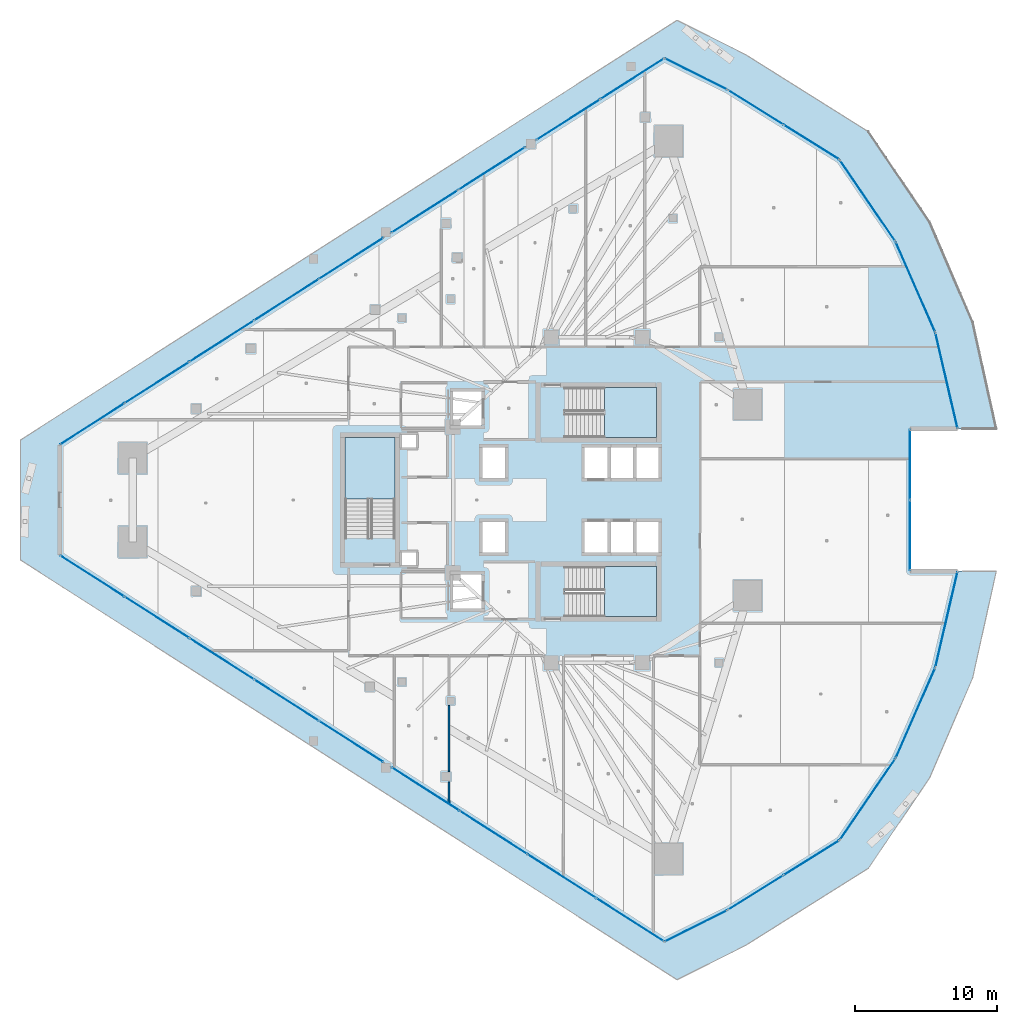
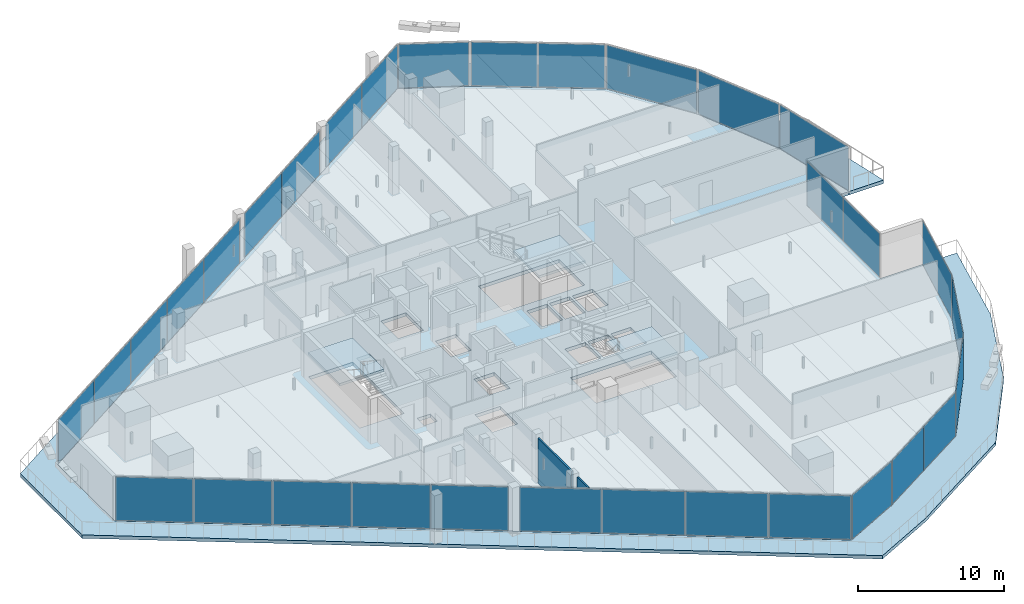
# One storey, part 29 of 45: 32 plates, 5 slabs, 2 walls, 19 elements without a shape of their own.
"""IFC4 building model written with IfcOpenShell, lengths in metres."""

from ifc_helpers import new_model, si_unit, direction, frame, frame_2d, origin, origin_2d, place, context, subcontext, project, spatial, polyline, rectangle, outline, extrude, material, layer, layer_set, type_object, element, aggregate, save


model = new_model("IFC4")

# Units and contexts
model_context = context("Model", 3, precision=1e-05, world=origin(), true_north=direction((0.0, 1.0)))
body_context = subcontext(model_context, "Body", "Model", "MODEL_VIEW")
ifc_project = project(units=[si_unit("LENGTHUNIT", "METRE"), si_unit("AREAUNIT", "SQUARE_METRE"), si_unit("VOLUMEUNIT", "CUBIC_METRE"), si_unit("PLANEANGLEUNIT", "RADIAN"), si_unit("MASSUNIT", "GRAM", prefix="KILO")], contexts=[model_context])

# Site, building, storey
site_placement = place(None, origin())
site = spatial("IfcSite", under=ifc_project, at=site_placement, CompositionType="ELEMENT")
building_placement = place(site_placement, origin())
building = spatial("IfcBuilding", under=site, at=building_placement, Name="Qorvath Tower", CompositionType="ELEMENT")
storey_placement = place(building_placement, frame((0.0, 0.0, 109.800048828125)))
storey = spatial("IfcBuildingStorey", under=building, at=storey_placement, Name="L24", CompositionType="ELEMENT", Elevation=109.800048828125)

# Curtain wall, plates
ifc_material_1 = material(Name="Anodised aluminium and triple low-E glass", Category="aluminium")
ifc_layer_1 = layer(ifc_material_1, 0.179931640625)
ifc_layer_set_1 = layer_set([ifc_layer_1], Name="CW-SYS-2")
curtain_wall_type = type_object("IfcCurtainWallType", Name="CW-SYS-2", PredefinedType="NOTDEFINED", material=ifc_layer_set_1)
curtain_wall_1_placement = place(storey_placement, origin())
curtain_wall_1 = element("IfcCurtainWall", 1, at=curtain_wall_1_placement, inside=storey, type_object=curtain_wall_type, Name="Curtain Wall CW-2 CW-T-L24-2.1", PredefinedType="NOTDEFINED")
ifc_material_2 = material(Name="Low-E triple insulated glass", Category="glass")
ifc_layer_2 = layer(ifc_material_2, 0.031982421875)
ifc_layer_set_2 = layer_set([ifc_layer_2], Name="CWP-GLZ-32")
plate_type = type_object("IfcPlateType", Name="CWP-GLZ-32", PredefinedType="CURTAIN_PANEL", material=ifc_layer_set_2)
plate_1_placement = place(storey_placement, frame((-55.896484375, -5.35107421875, 0.06494140625), z_axis=(0.0, 0.0, 1.0), x_axis=(0.84260637131, -0.538529946269, 0.0)))
plate_1 = element("IfcPlate", 2, at=plate_1_placement, type_object=plate_type, Name="CW-2 panel 1.1", PredefinedType="CURTAIN_PANEL", context=body_context, shape_type="SweptSolid", body=[
    extrude(rectangle(XDim=5.315185546875, YDim=0.031982421875, at=origin_2d()), origin(), (0.0, 0.0, 1.0), 3.64013671875),
])
plate_2_placement = place(storey_placement, frame((-51.349365234375, -8.25732421875, 0.06494140625), z_axis=(0.0, 0.0, 1.0), x_axis=(0.84260637131, -0.538529946269, 0.0)))
plate_2 = element("IfcPlate", 3, at=plate_2_placement, type_object=plate_type, Name="CW-2 panel 2.1", PredefinedType="CURTAIN_PANEL", context=body_context, shape_type="SweptSolid", body=[
    extrude(rectangle(XDim=5.34765625, YDim=0.031982421875, at=origin_2d()), origin(), (0.0, 0.0, 1.0), 3.64013671875),
])
plate_3_placement = place(storey_placement, frame((-46.788818359375, -11.172119140625, 0.06494140625), z_axis=(0.0, 0.0, 1.0), x_axis=(0.84260637131, -0.538529946269, 0.0)))
plate_3 = element("IfcPlate", 4, at=plate_3_placement, type_object=plate_type, Name="CW-2 panel 3.1", PredefinedType="CURTAIN_PANEL", context=body_context, shape_type="SweptSolid", body=[
    extrude(rectangle(XDim=5.34765625, YDim=0.031982421875, at=origin_2d()), origin(), (0.0, 0.0, 1.0), 3.64013671875),
])
plate_4_placement = place(storey_placement, frame((-42.22802734375, -14.0869140625, 0.06494140625), z_axis=(0.0, 0.0, 1.0), x_axis=(0.84260637131, -0.538529946269, 0.0)))
plate_4 = element("IfcPlate", 5, at=plate_4_placement, type_object=plate_type, Name="CW-2 panel 4.1", PredefinedType="CURTAIN_PANEL", context=body_context, shape_type="SweptSolid", body=[
    extrude(rectangle(XDim=5.34765625, YDim=0.031982421875, at=origin_2d()), origin(), (0.0, 0.0, 1.0), 3.64013671875),
])
plate_5_placement = place(storey_placement, frame((-37.68115234375, -16.992919921875, 0.06494140625), z_axis=(0.0, 0.0, 1.0), x_axis=(0.84260637131, -0.538529946269, 0.0)))
plate_5 = element("IfcPlate", 6, at=plate_5_placement, type_object=plate_type, Name="CW-2 panel 5.1", PredefinedType="CURTAIN_PANEL", context=body_context, shape_type="SweptSolid", body=[
    extrude(rectangle(XDim=5.315185546875, YDim=0.031982421875, at=origin_2d()), origin(), (0.0, 0.0, 1.0), 3.64013671875),
])
aggregate(curtain_wall_1, [plate_1, plate_2, plate_3, plate_4, plate_5])

curtain_wall_2_placement = place(storey_placement, origin())
curtain_wall_2 = element("IfcCurtainWall", 7, at=curtain_wall_2_placement, inside=storey, type_object=curtain_wall_type, Name="Curtain Wall CW-2 CW-T-L24-2.2", PredefinedType="NOTDEFINED")
plate_6_placement = place(storey_placement, frame((-32.462646484375, -20.328125, 0.06494140625), z_axis=(0.0, 0.0, 1.0), x_axis=(0.842601047588, -0.538538275895, 0.0)))
plate_6 = element("IfcPlate", 8, at=plate_6_placement, type_object=plate_type, Name="CW-2 panel 1.1", PredefinedType="CURTAIN_PANEL", context=body_context, shape_type="SweptSolid", body=[
    extrude(rectangle(XDim=5.611572265625, YDim=0.031982421875, at=origin_2d()), origin(), (0.0, 0.0, 1.0), 3.64013671875),
])
plate_7_placement = place(storey_placement, frame((-27.666015625, -23.39404296875, 0.06494140625), z_axis=(0.0, 0.0, 1.0), x_axis=(0.842601047588, -0.538538275895, 0.0)))
plate_7 = element("IfcPlate", 9, at=plate_7_placement, type_object=plate_type, Name="CW-2 panel 2.1", PredefinedType="CURTAIN_PANEL", context=body_context, shape_type="SweptSolid", body=[
    extrude(rectangle(XDim=5.64404296875, YDim=0.031982421875, at=origin_2d()), origin(), (0.0, 0.0, 1.0), 3.64013671875),
])
plate_8_placement = place(storey_placement, frame((-22.85546875, -26.468505859375, 0.06494140625), z_axis=(0.0, 0.0, 1.0), x_axis=(0.842601047588, -0.538538275895, 0.0)))
plate_8 = element("IfcPlate", 10, at=plate_8_placement, type_object=plate_type, Name="CW-2 panel 3.1", PredefinedType="CURTAIN_PANEL", context=body_context, shape_type="SweptSolid", body=[
    extrude(rectangle(XDim=5.64404296875, YDim=0.031982421875, at=origin_2d()), origin(), (0.0, 0.0, 1.0), 3.64013671875),
])
plate_9_placement = place(storey_placement, frame((-18.058837890625, -29.5341796875, 0.06494140625), z_axis=(0.0, 0.0, 1.0), x_axis=(0.842601047588, -0.538538275895, 0.0)))
plate_9 = element("IfcPlate", 11, at=plate_9_placement, type_object=plate_type, Name="CW-2 panel 4.1", PredefinedType="CURTAIN_PANEL", context=body_context, shape_type="SweptSolid", body=[
    extrude(rectangle(XDim=5.611572265625, YDim=0.031982421875, at=origin_2d()), origin(), (0.0, 0.0, 1.0), 3.64013671875),
])
aggregate(curtain_wall_2, [plate_6, plate_7, plate_8, plate_9])

# Curtain wall, plate
curtain_wall_3_placement = place(storey_placement, origin())
curtain_wall_3 = element("IfcCurtainWall", 12, at=curtain_wall_3_placement, inside=storey, type_object=curtain_wall_type, Name="Curtain Wall CW-2 CW-T-L24-3.1", PredefinedType="NOTDEFINED")
plate_10_placement = place(storey_placement, frame((-13.419921875, -29.970458984375, 0.06494140625), z_axis=(0.0, 0.0, 1.0), x_axis=(0.89444330579, 0.447181364469, 0.0)))
plate_10 = element("IfcPlate", 13, at=plate_10_placement, type_object=plate_type, Name="CW-2 panel 1.1", PredefinedType="CURTAIN_PANEL", context=body_context, shape_type="SweptSolid", body=[
    extrude(rectangle(XDim=4.834228515625, YDim=0.031982421875, at=origin_2d()), origin(), (0.0, 0.0, 1.0), 3.64013671875),
])
aggregate(curtain_wall_3, [plate_10])

# Curtain wall, plates
curtain_wall_4_placement = place(storey_placement, origin())
curtain_wall_4 = element("IfcCurtainWall", 14, at=curtain_wall_4_placement, inside=storey, type_object=curtain_wall_type, Name="Curtain Wall CW-2 CW-T-L24-4.1", PredefinedType="NOTDEFINED")
plate_11_placement = place(storey_placement, frame((-9.213134765625, -27.6201171875, 0.06494140625), z_axis=(0.0, 0.0, 1.0), x_axis=(0.848279601818, 0.529548597524, 0.0)))
plate_11 = element("IfcPlate", 15, at=plate_11_placement, type_object=plate_type, Name="CW-2 panel 1.1", PredefinedType="CURTAIN_PANEL", context=body_context, shape_type="SweptSolid", body=[
    extrude(rectangle(XDim=4.553955078125, YDim=0.031982421875, at=origin_2d()), origin(), (0.0, 0.0, 1.0), 3.64013671875),
])
plate_12_placement = place(storey_placement, frame((-5.294921875, -25.17431640625, 0.06494140625), z_axis=(0.0, 0.0, 1.0), x_axis=(0.848279601818, 0.529548597524, 0.0)))
plate_12 = element("IfcPlate", 16, at=plate_12_placement, type_object=plate_type, Name="CW-2 panel 2.1", PredefinedType="CURTAIN_PANEL", context=body_context, shape_type="SweptSolid", body=[
    extrude(rectangle(XDim=4.553955078125, YDim=0.031982421875, at=origin_2d()), origin(), (0.0, 0.0, 1.0), 3.64013671875),
])
aggregate(curtain_wall_4, [plate_11, plate_12])

# Curtain wall, plate
curtain_wall_5_placement = place(storey_placement, origin())
curtain_wall_5 = element("IfcCurtainWall", 17, at=curtain_wall_5_placement, inside=storey, type_object=curtain_wall_type, Name="Curtain Wall CW-2 CW-T-L24-5.1", PredefinedType="NOTDEFINED")
plate_13_placement = place(storey_placement, frame((-1.343017578125, -21.0576171875, 0.06494140625), z_axis=(0.0, 0.0, 1.0), x_axis=(0.564116800019, 0.825695001763, 0.0)))
plate_13 = element("IfcPlate", 18, at=plate_13_placement, type_object=plate_type, Name="CW-2 panel 1.1", PredefinedType="CURTAIN_PANEL", context=body_context, shape_type="SweptSolid", body=[
    extrude(rectangle(XDim=6.837646484375, YDim=0.031982421875, at=origin_2d()), origin(), (0.0, 0.0, 1.0), 3.64013671875),
])
aggregate(curtain_wall_5, [plate_13])

curtain_wall_6_placement = place(storey_placement, origin())
curtain_wall_6 = element("IfcCurtainWall", 19, at=curtain_wall_6_placement, inside=storey, type_object=curtain_wall_type, Name="Curtain Wall CW-2 CW-T-L24-6.1", PredefinedType="NOTDEFINED")
plate_14_placement = place(storey_placement, frame((2.021240234375, -14.990234375, 0.06494140625), z_axis=(0.0, 0.0, 1.0), x_axis=(0.401585895161, 0.915821362935, 0.0)))
plate_14 = element("IfcPlate", 20, at=plate_14_placement, type_object=plate_type, Name="CW-2 panel 1.1", PredefinedType="CURTAIN_PANEL", context=body_context, shape_type="SweptSolid", body=[
    extrude(rectangle(XDim=6.837646484375, YDim=0.031982421875, at=origin_2d()), origin(), (0.0, 0.0, 1.0), 3.64013671875),
])
aggregate(curtain_wall_6, [plate_14])

curtain_wall_7_placement = place(storey_placement, origin())
curtain_wall_7 = element("IfcCurtainWall", 21, at=curtain_wall_7_placement, inside=storey, type_object=curtain_wall_type, Name="Curtain Wall CW-2 CW-T-L24-7.1", PredefinedType="NOTDEFINED")
plate_15_placement = place(storey_placement, frame((4.204833984375, -8.405517578125, 0.06494140625), z_axis=(0.0, 0.0, 1.0), x_axis=(0.225200155801, 0.974312521641, 0.0)))
plate_15 = element("IfcPlate", 22, at=plate_15_placement, type_object=plate_type, Name="CW-2 panel 1.1", PredefinedType="CURTAIN_PANEL", context=body_context, shape_type="SweptSolid", body=[
    extrude(rectangle(XDim=6.837646484375, YDim=0.031982421875, at=origin_2d()), origin(), (0.0, 0.0, 1.0), 3.64013671875),
])
aggregate(curtain_wall_7, [plate_15])

# Curtain wall, plates
curtain_wall_8_placement = place(storey_placement, origin())
curtain_wall_8 = element("IfcCurtainWall", 23, at=curtain_wall_8_placement, inside=storey, type_object=curtain_wall_type, Name="Curtain Wall CW-2 CW-T-L24-9.1", PredefinedType="NOTDEFINED")
plate_16_placement = place(storey_placement, frame((1.648681640625, -2.4892578125, 0.06494140625), z_axis=(0.0, 0.0, 1.0), x_axis=(0.0, 1.0, 0.0)))
plate_16 = element("IfcPlate", 24, at=plate_16_placement, type_object=plate_type, Name="CW-2 panel 1.1", PredefinedType="CURTAIN_PANEL", context=body_context, shape_type="SweptSolid", body=[
    extrude(rectangle(XDim=4.913818359375, YDim=0.031982421875, at=origin_2d()), origin(), (0.0, 0.0, 1.0), 3.64013671875),
])
plate_17_placement = place(storey_placement, frame((1.648681640625, 2.4892578125, 0.06494140625), z_axis=(0.0, 0.0, 1.0), x_axis=(0.0, 1.0, 0.0)))
plate_17 = element("IfcPlate", 25, at=plate_17_placement, type_object=plate_type, Name="CW-2 panel 2.1", PredefinedType="CURTAIN_PANEL", context=body_context, shape_type="SweptSolid", body=[
    extrude(rectangle(XDim=4.913818359375, YDim=0.031982421875, at=origin_2d()), origin(), (0.0, 0.0, 1.0), 3.64013671875),
])
aggregate(curtain_wall_8, [plate_16, plate_17])

# Curtain wall, plate
curtain_wall_9_placement = place(storey_placement, origin())
curtain_wall_9 = element("IfcCurtainWall", 26, at=curtain_wall_9_placement, inside=storey, type_object=curtain_wall_type, Name="Curtain Wall CW-2 CW-T-L24-11.1", PredefinedType="NOTDEFINED")
plate_18_placement = place(storey_placement, frame((4.204833984375, 8.405517578125, 0.06494140625), z_axis=(0.0, 0.0, 1.0), x_axis=(-0.225200155801, 0.974312521641, 0.0)))
plate_18 = element("IfcPlate", 27, at=plate_18_placement, type_object=plate_type, Name="CW-2 panel 1.1", PredefinedType="CURTAIN_PANEL", context=body_context, shape_type="SweptSolid", body=[
    extrude(rectangle(XDim=6.837646484375, YDim=0.031982421875, at=origin_2d()), origin(), (0.0, 0.0, 1.0), 3.64013671875),
])
aggregate(curtain_wall_9, [plate_18])

curtain_wall_10_placement = place(storey_placement, origin())
curtain_wall_10 = element("IfcCurtainWall", 28, at=curtain_wall_10_placement, inside=storey, type_object=curtain_wall_type, Name="Curtain Wall CW-2 CW-T-L24-12.1", PredefinedType="NOTDEFINED")
plate_19_placement = place(storey_placement, frame((2.021240234375, 14.990234375, 0.06494140625), z_axis=(0.0, 0.0, 1.0), x_axis=(-0.401585895161, 0.915821362935, 0.0)))
plate_19 = element("IfcPlate", 29, at=plate_19_placement, type_object=plate_type, Name="CW-2 panel 1.1", PredefinedType="CURTAIN_PANEL", context=body_context, shape_type="SweptSolid", body=[
    extrude(rectangle(XDim=6.837646484375, YDim=0.031982421875, at=origin_2d()), origin(), (0.0, 0.0, 1.0), 3.64013671875),
])
aggregate(curtain_wall_10, [plate_19])

curtain_wall_11_placement = place(storey_placement, origin())
curtain_wall_11 = element("IfcCurtainWall", 30, at=curtain_wall_11_placement, inside=storey, type_object=curtain_wall_type, Name="Curtain Wall CW-2 CW-T-L24-13.1", PredefinedType="NOTDEFINED")
plate_20_placement = place(storey_placement, frame((-1.343017578125, 21.0576171875, 0.06494140625), z_axis=(0.0, 0.0, 1.0), x_axis=(-0.564116800019, 0.825695001763, 0.0)))
plate_20 = element("IfcPlate", 31, at=plate_20_placement, type_object=plate_type, Name="CW-2 panel 1.1", PredefinedType="CURTAIN_PANEL", context=body_context, shape_type="SweptSolid", body=[
    extrude(rectangle(XDim=6.837646484375, YDim=0.031982421875, at=origin_2d()), origin(), (0.0, 0.0, 1.0), 3.64013671875),
])
aggregate(curtain_wall_11, [plate_20])

# Curtain wall, plates
curtain_wall_12_placement = place(storey_placement, origin())
curtain_wall_12 = element("IfcCurtainWall", 32, at=curtain_wall_12_placement, inside=storey, type_object=curtain_wall_type, Name="Curtain Wall CW-2 CW-T-L24-14.1", PredefinedType="NOTDEFINED")
plate_21_placement = place(storey_placement, frame((-5.294921875, 25.17431640625, 0.06494140625), z_axis=(0.0, 0.0, 1.0), x_axis=(-0.848279601818, 0.529548597524, 0.0)))
plate_21 = element("IfcPlate", 33, at=plate_21_placement, type_object=plate_type, Name="CW-2 panel 1.1", PredefinedType="CURTAIN_PANEL", context=body_context, shape_type="SweptSolid", body=[
    extrude(rectangle(XDim=4.553955078125, YDim=0.031982421875, at=origin_2d()), origin(), (0.0, 0.0, 1.0), 3.64013671875),
])
plate_22_placement = place(storey_placement, frame((-9.213134765625, 27.6201171875, 0.06494140625), z_axis=(0.0, 0.0, 1.0), x_axis=(-0.848279601818, 0.529548597524, 0.0)))
plate_22 = element("IfcPlate", 34, at=plate_22_placement, type_object=plate_type, Name="CW-2 panel 2.1", PredefinedType="CURTAIN_PANEL", context=body_context, shape_type="SweptSolid", body=[
    extrude(rectangle(XDim=4.553955078125, YDim=0.031982421875, at=origin_2d()), origin(), (0.0, 0.0, 1.0), 3.64013671875),
])
aggregate(curtain_wall_12, [plate_21, plate_22])

# Curtain wall, plate
curtain_wall_13_placement = place(storey_placement, origin())
curtain_wall_13 = element("IfcCurtainWall", 35, at=curtain_wall_13_placement, inside=storey, type_object=curtain_wall_type, Name="Curtain Wall CW-2 CW-T-L24-15.1", PredefinedType="NOTDEFINED")
plate_23_placement = place(storey_placement, frame((-13.419921875, 29.970458984375, 0.06494140625), z_axis=(0.0, 0.0, 1.0), x_axis=(-0.89444330579, 0.447181364469, 0.0)))
plate_23 = element("IfcPlate", 36, at=plate_23_placement, type_object=plate_type, Name="CW-2 panel 1.1", PredefinedType="CURTAIN_PANEL", context=body_context, shape_type="SweptSolid", body=[
    extrude(rectangle(XDim=4.834228515625, YDim=0.031982421875, at=origin_2d()), origin(), (0.0, 0.0, 1.0), 3.64013671875),
])
aggregate(curtain_wall_13, [plate_23])

# Curtain wall, plates
curtain_wall_14_placement = place(storey_placement, origin())
curtain_wall_14 = element("IfcCurtainWall", 37, at=curtain_wall_14_placement, inside=storey, type_object=curtain_wall_type, Name="Curtain Wall CW-2 CW-T-L24-16.1", PredefinedType="NOTDEFINED")
plate_24_placement = place(storey_placement, frame((-17.910400390625, 29.629150390625, 0.06494140625), z_axis=(0.0, 0.0, 1.0), x_axis=(-0.842604496528, -0.538532879619, 0.0)))
plate_24 = element("IfcPlate", 38, at=plate_24_placement, type_object=plate_type, Name="CW-2 panel 1.1", PredefinedType="CURTAIN_PANEL", context=body_context, shape_type="SweptSolid", body=[
    extrude(rectangle(XDim=5.259521484375, YDim=0.031982421875, at=origin_2d()), origin(), (0.0, 0.0, 1.0), 3.64013671875),
])
plate_25_placement = place(storey_placement, frame((-22.39697265625, 26.76171875, 0.06494140625), z_axis=(0.0, 0.0, 1.0), x_axis=(-0.842604496528, -0.538532879619, 0.0)))
plate_25 = element("IfcPlate", 39, at=plate_25_placement, type_object=plate_type, Name="CW-2 panel 2.1", PredefinedType="CURTAIN_PANEL", context=body_context, shape_type="SweptSolid", body=[
    extrude(rectangle(XDim=5.259521484375, YDim=0.031982421875, at=origin_2d()), origin(), (0.0, 0.0, 1.0), 3.64013671875),
])
aggregate(curtain_wall_14, [plate_24, plate_25])

curtain_wall_15_placement = place(storey_placement, origin())
curtain_wall_15 = element("IfcCurtainWall", 40, at=curtain_wall_15_placement, inside=storey, type_object=curtain_wall_type, Name="Curtain Wall CW-2 CW-T-L24-16.2", PredefinedType="NOTDEFINED")
plate_26_placement = place(storey_placement, frame((-27.789794921875, 23.31494140625, 0.06494140625), z_axis=(0.0, 0.0, 1.0), x_axis=(-0.84259816938, -0.538542779135, 0.0)))
plate_26 = element("IfcPlate", 41, at=plate_26_placement, type_object=plate_type, Name="CW-2 panel 1.1", PredefinedType="CURTAIN_PANEL", context=body_context, shape_type="SweptSolid", body=[
    extrude(rectangle(XDim=5.5244140625, YDim=0.031982421875, at=origin_2d()), origin(), (0.0, 0.0, 1.0), 3.64013671875),
])
plate_27_placement = place(storey_placement, frame((-32.49951171875, 20.3046875, 0.06494140625), z_axis=(0.0, 0.0, 1.0), x_axis=(-0.84259816938, -0.538542779135, 0.0)))
plate_27 = element("IfcPlate", 42, at=plate_27_placement, type_object=plate_type, Name="CW-2 panel 2.1", PredefinedType="CURTAIN_PANEL", context=body_context, shape_type="SweptSolid", body=[
    extrude(rectangle(XDim=5.5244140625, YDim=0.031982421875, at=origin_2d()), origin(), (0.0, 0.0, 1.0), 3.64013671875),
])
aggregate(curtain_wall_15, [plate_26, plate_27])

curtain_wall_16_placement = place(storey_placement, origin())
curtain_wall_16 = element("IfcCurtainWall", 43, at=curtain_wall_16_placement, inside=storey, type_object=curtain_wall_type, Name="Curtain Wall CW-2 CW-T-L24-16.3", PredefinedType="NOTDEFINED")
plate_28_placement = place(storey_placement, frame((-37.68115234375, 16.992919921875, 0.06494140625), z_axis=(0.0, 0.0, 1.0), x_axis=(-0.84260637131, -0.538529946269, 0.0)))
plate_28 = element("IfcPlate", 44, at=plate_28_placement, type_object=plate_type, Name="CW-2 panel 1.1", PredefinedType="CURTAIN_PANEL", context=body_context, shape_type="SweptSolid", body=[
    extrude(rectangle(XDim=5.315185546875, YDim=0.031982421875, at=origin_2d()), origin(), (0.0, 0.0, 1.0), 3.64013671875),
])
plate_29_placement = place(storey_placement, frame((-42.22802734375, 14.0869140625, 0.06494140625), z_axis=(0.0, 0.0, 1.0), x_axis=(-0.84260637131, -0.538529946269, 0.0)))
plate_29 = element("IfcPlate", 45, at=plate_29_placement, type_object=plate_type, Name="CW-2 panel 2.1", PredefinedType="CURTAIN_PANEL", context=body_context, shape_type="SweptSolid", body=[
    extrude(rectangle(XDim=5.34765625, YDim=0.031982421875, at=origin_2d()), origin(), (0.0, 0.0, 1.0), 3.64013671875),
])
plate_30_placement = place(storey_placement, frame((-46.788818359375, 11.172119140625, 0.06494140625), z_axis=(0.0, 0.0, 1.0), x_axis=(-0.84260637131, -0.538529946269, 0.0)))
plate_30 = element("IfcPlate", 46, at=plate_30_placement, type_object=plate_type, Name="CW-2 panel 3.1", PredefinedType="CURTAIN_PANEL", context=body_context, shape_type="SweptSolid", body=[
    extrude(rectangle(XDim=5.34765625, YDim=0.031982421875, at=origin_2d()), origin(), (0.0, 0.0, 1.0), 3.64013671875),
])
plate_31_placement = place(storey_placement, frame((-51.349365234375, 8.25732421875, 0.06494140625), z_axis=(0.0, 0.0, 1.0), x_axis=(-0.84260637131, -0.538529946269, 0.0)))
plate_31 = element("IfcPlate", 47, at=plate_31_placement, type_object=plate_type, Name="CW-2 panel 4.1", PredefinedType="CURTAIN_PANEL", context=body_context, shape_type="SweptSolid", body=[
    extrude(rectangle(XDim=5.34765625, YDim=0.031982421875, at=origin_2d()), origin(), (0.0, 0.0, 1.0), 3.64013671875),
])
plate_32_placement = place(storey_placement, frame((-55.896484375, 5.35107421875, 0.06494140625), z_axis=(0.0, 0.0, 1.0), x_axis=(-0.84260637131, -0.538529946269, 0.0)))
plate_32 = element("IfcPlate", 48, at=plate_32_placement, type_object=plate_type, Name="CW-2 panel 5.1", PredefinedType="CURTAIN_PANEL", context=body_context, shape_type="SweptSolid", body=[
    extrude(rectangle(XDim=5.315185546875, YDim=0.031982421875, at=origin_2d()), origin(), (0.0, 0.0, 1.0), 3.64013671875),
])
aggregate(curtain_wall_16, [plate_28, plate_29, plate_30, plate_31, plate_32])

# Stair, slab
ifc_material_3 = material(Name="Concrete C50/60", Category="concrete")
stair_type = type_object("IfcStairType", Name="ST-H405", PredefinedType="HALF_TURN_STAIR", material=ifc_material_3)
stair_1_placement = place(storey_placement, origin())
stair_1 = element("IfcStair", 49, at=stair_1_placement, inside=storey, type_object=stair_type, Name="L24 Tower Exit Stair 1", PredefinedType="HALF_TURN_STAIR")
ifc_material_4 = material(Name="Concrete C50/60", Category="concrete")
ifc_layer_3 = layer(ifc_material_4, 0.199951171875)
ifc_layer_set_3 = layer_set([ifc_layer_3], Name="SL-LND-200")
slab_type_1 = type_object("IfcSlabType", Name="SL-LND-200", PredefinedType="LANDING", material=ifc_layer_set_3)
slab_1_placement = place(storey_placement, frame((0.0, 0.0, 1.824951171875)))
slab_1 = element("IfcSlab", 50, at=slab_1_placement, type_object=slab_type_1, Name="TS1 landing 1", PredefinedType="LANDING", context=body_context, shape_type="SweptSolid", body=[
    extrude(outline(polyline([(-19.8701171875, 4.39990234375), (-16.199951171875, 4.39990234375), (-16.199951171875, 7.909912109375), (-19.8701171875, 7.909912109375), (-19.8701171875, 4.39990234375)])), origin(), (0.0, 0.0, 1.0), 0.199951171875),
])
aggregate(stair_1, [slab_1])

stair_2_placement = place(storey_placement, origin())
stair_2 = element("IfcStair", 51, at=stair_2_placement, inside=storey, type_object=stair_type, Name="L24 Tower Exit Stair 2", PredefinedType="HALF_TURN_STAIR")
slab_2_placement = place(storey_placement, frame((0.0, 0.0, 1.824951171875)))
slab_2 = element("IfcSlab", 52, at=slab_2_placement, type_object=slab_type_1, Name="TS2 landing 1", PredefinedType="LANDING", context=body_context, shape_type="SweptSolid", body=[
    extrude(outline(polyline([(-19.8701171875, -8.199951171875), (-16.199951171875, -8.199951171875), (-16.199951171875, -4.68994140625), (-19.8701171875, -4.68994140625), (-19.8701171875, -8.199951171875)])), origin(), (0.0, 0.0, 1.0), 0.199951171875),
])
aggregate(stair_2, [slab_2])

stair_3_placement = place(storey_placement, origin())
stair_3 = element("IfcStair", 53, at=stair_3_placement, inside=storey, type_object=stair_type, Name="L24 Tower Exit Stair 3", PredefinedType="HALF_TURN_STAIR")
slab_3_placement = place(storey_placement, frame((0.0, 0.0, 1.824951171875)))
slab_3 = element("IfcSlab", 54, at=slab_3_placement, type_object=slab_type_1, Name="TS3 landing 1", PredefinedType="LANDING", context=body_context, shape_type="SweptSolid", body=[
    extrude(outline(polyline([(-34.60009765625, 0.080078125), (-34.60009765625, 4.39990234375), (-38.110107421875, 4.39990234375), (-38.110107421875, 0.080078125), (-34.60009765625, 0.080078125)])), origin(), (0.0, 0.0, 1.0), 0.199951171875),
])
aggregate(stair_3, [slab_3])

# Slabs
ifc_material_5 = material(Name="Precast concrete C45/55", Category="concrete")
ifc_layer_4 = layer(ifc_material_5, 0.280029296875)
ifc_layer_set_4 = layer_set([ifc_layer_4], Name="SL-LOG-280")
slab_type_2 = type_object("IfcSlabType", Name="SL-LOG-280", PredefinedType="FLOOR", material=ifc_layer_set_4)
slab_4_placement = place(storey_placement, frame((0.0, 0.0, -0.280029296875)))
element("IfcSlab", 55, at=slab_4_placement, inside=storey, type_object=slab_type_2, Name="Tower L24 Perimeter Loggia and Terrace Slab", PredefinedType="FLOOR", context=body_context, shape_type="SweptSolid", body=[
    extrude(outline(polyline([(-9.92919921875, 31.337890625), (-14.75048828125, 33.74853515625), (-60.953857421875, 4.218505859375), (-60.953857421875, -4.218505859375), (-14.75048828125, -33.74853515625), (-9.92919921875, -31.337890625), (-1.291015625, -25.9052734375), (3.0126953125, -19.5517578125), (6.04736328125, -12.503662109375), (7.70556640625, -5.01123046875), (4.989501953125, -5.01123046875), (3.42041015625, -11.7998046875), (0.622314453125, -18.180908203125), (-3.308349609375, -23.93408203125), (-11.19970703125, -28.8603515625), (-15.639892578125, -31.080322265625), (-58.1904296875, -3.885009765625), (-58.1904296875, 3.885009765625), (-15.639892578125, 31.080322265625), (-11.19970703125, 28.8603515625), (-3.308349609375, 23.93408203125), (0.622314453125, 18.180908203125), (3.42041015625, 11.7998046875), (4.989501953125, 5.01123046875), (7.70556640625, 5.01123046875), (6.04736328125, 12.503662109375), (3.0126953125, 19.5517578125), (-1.291015625, 25.9052734375), (-9.92919921875, 31.337890625)])), origin(), (0.0, 0.0, 1.0), 0.280029296875),
])
ifc_material_6 = material(Name="Concrete C45/55", Category="concrete")
ifc_layer_5 = layer(ifc_material_6, 0.280029296875)
ifc_layer_set_5 = layer_set([ifc_layer_5], Name="SL-TYP-280")
slab_type_3 = type_object("IfcSlabType", Name="SL-TYP-280", PredefinedType="FLOOR", material=ifc_layer_set_5)
slab_5_placement = place(storey_placement, frame((0.0, 0.0, -0.280029296875)))
element("IfcSlab", 56, at=slab_5_placement, inside=storey, type_object=slab_type_3, Name="Tower L24 Interior Floor Slab", PredefinedType="FLOOR", context=body_context, shape_type="SweptSolid", body=[
    extrude(outline(polyline([(-58.1904296875, 3.885009765625), (-58.1904296875, -3.885009765625), (-15.639892578125, -31.080322265625), (-11.19970703125, -28.8603515625), (-3.308349609375, -23.93408203125), (0.622314453125, -18.180908203125), (3.42041015625, -11.7998046875), (4.989501953125, -5.01123046875), (1.648681640625, -5.01123046875), (1.648681640625, 5.01123046875), (4.989501953125, 5.01123046875), (3.42041015625, 11.7998046875), (0.622314453125, 18.180908203125), (-3.308349609375, 23.93408203125), (-11.19970703125, 28.8603515625), (-15.639892578125, 31.080322265625), (-58.1904296875, 3.885009765625)]), holes=[polyline([(-17.64990234375, -3.699951171875), (-17.64990234375, -1.550048828125), (-16.050048828125, -1.550048828125), (-16.050048828125, -3.699951171875), (-17.64990234375, -3.699951171875)]), polyline([(-17.64990234375, 1.550048828125), (-17.64990234375, 3.699951171875), (-16.050048828125, 3.699951171875), (-16.050048828125, 1.550048828125), (-17.64990234375, 1.550048828125)]), polyline([(-22.625, -8.199951171875), (-22.625, -4.68994140625), (-16.2451171875, -4.68994140625), (-16.2451171875, -8.199951171875), (-22.625, -8.199951171875)]), polyline([(-22.625, 4.39990234375), (-22.625, 7.909912109375), (-16.2451171875, 7.909912109375), (-16.2451171875, 4.39990234375), (-22.625, 4.39990234375)]), polyline([(-19.449951171875, -3.699951171875), (-19.449951171875, -1.550048828125), (-17.85009765625, -1.550048828125), (-17.85009765625, -3.699951171875), (-19.449951171875, -3.699951171875)]), polyline([(-19.449951171875, 1.550048828125), (-19.449951171875, 3.699951171875), (-17.85009765625, 3.699951171875), (-17.85009765625, 1.550048828125), (-19.449951171875, 1.550048828125)]), polyline([(-21.25, -3.699951171875), (-21.25, -1.550048828125), (-19.64990234375, -1.550048828125), (-19.64990234375, -3.699951171875), (-21.25, -3.699951171875)]), polyline([(-21.25, 1.550048828125), (-21.25, 3.699951171875), (-19.64990234375, 3.699951171875), (-19.64990234375, 1.550048828125), (-21.25, 1.550048828125)]), polyline([(-28.449951171875, -3.699951171875), (-28.449951171875, -1.550048828125), (-26.85009765625, -1.550048828125), (-26.85009765625, -3.699951171875), (-28.449951171875, -3.699951171875)]), polyline([(-28.449951171875, 1.550048828125), (-28.449951171875, 3.699951171875), (-26.85009765625, 3.699951171875), (-26.85009765625, 1.550048828125), (-28.449951171875, 1.550048828125)]), polyline([(-28.5, -7.64990234375), (-30.5, -7.64990234375), (-30.5, -5.25), (-28.5, -5.25), (-28.5, -7.64990234375)]), polyline([(-30.5, 5.25), (-30.5, 7.64990234375), (-28.5, 7.64990234375), (-28.5, 5.25), (-30.5, 5.25)]), polyline([(-34.14990234375, -4.6201171875), (-34.14990234375, -3.64990234375), (-33.10009765625, -3.64990234375), (-33.10009765625, -4.6201171875), (-34.14990234375, -4.6201171875)]), polyline([(-34.14990234375, 3.64990234375), (-34.14990234375, 4.6201171875), (-33.10009765625, 4.6201171875), (-33.10009765625, 3.64990234375), (-34.14990234375, 3.64990234375)]), polyline([(-34.60009765625, -2.675048828125), (-38.110107421875, -2.675048828125), (-38.110107421875, 4.35498046875), (-34.60009765625, 4.35498046875), (-34.60009765625, -2.675048828125)])]), origin(), (0.0, 0.0, 1.0), 0.280029296875),
])

# Walls
ifc_material_7 = material(Name="Gypsum board on metal studs with mineral wool", Category="gypsum")
ifc_layer_6 = layer(ifc_material_7, 0.125)
ifc_layer_set_6 = layer_set([ifc_layer_6], Name="IW-PART-125")
wall_type = type_object("IfcWallType", Name="IW-PART-125", PredefinedType="PARTITIONING", material=ifc_layer_set_6)
wall_1_placement = place(storey_placement, frame((-30.791748046875, -21.31640625, 0.0), z_axis=(0.0, 0.0, 1.0), x_axis=(0.0, 1.0, 0.0)))
element("IfcWall", 57, at=wall_1_placement, inside=storey, type_object=wall_type, Name="Interior Partition IW-T1-L24-035", PredefinedType="PARTITIONING", context=body_context, shape_type="SweptSolid", body=[
    extrude(rectangle(XDim=1.466064453125, YDim=0.125, at=frame_2d((0.73291015625, 0.0))), origin(), (0.0, 0.0, 1.0), 3.77001953125),
])
wall_2_placement = place(storey_placement, frame((-30.791748046875, -19.0703125, 0.0), z_axis=(0.0, 0.0, 1.0), x_axis=(0.0, 1.0, 0.0)))
element("IfcWall", 58, at=wall_2_placement, inside=storey, type_object=wall_type, Name="Interior Partition IW-T1-L24-036", PredefinedType="PARTITIONING", context=body_context, shape_type="SweptSolid", body=[
    extrude(rectangle(XDim=4.60595703125, YDim=0.125, at=frame_2d((2.302978515625, 0.0))), origin(), (0.0, 0.0, 1.0), 3.77001953125),
])

save(model, "model.ifc")
